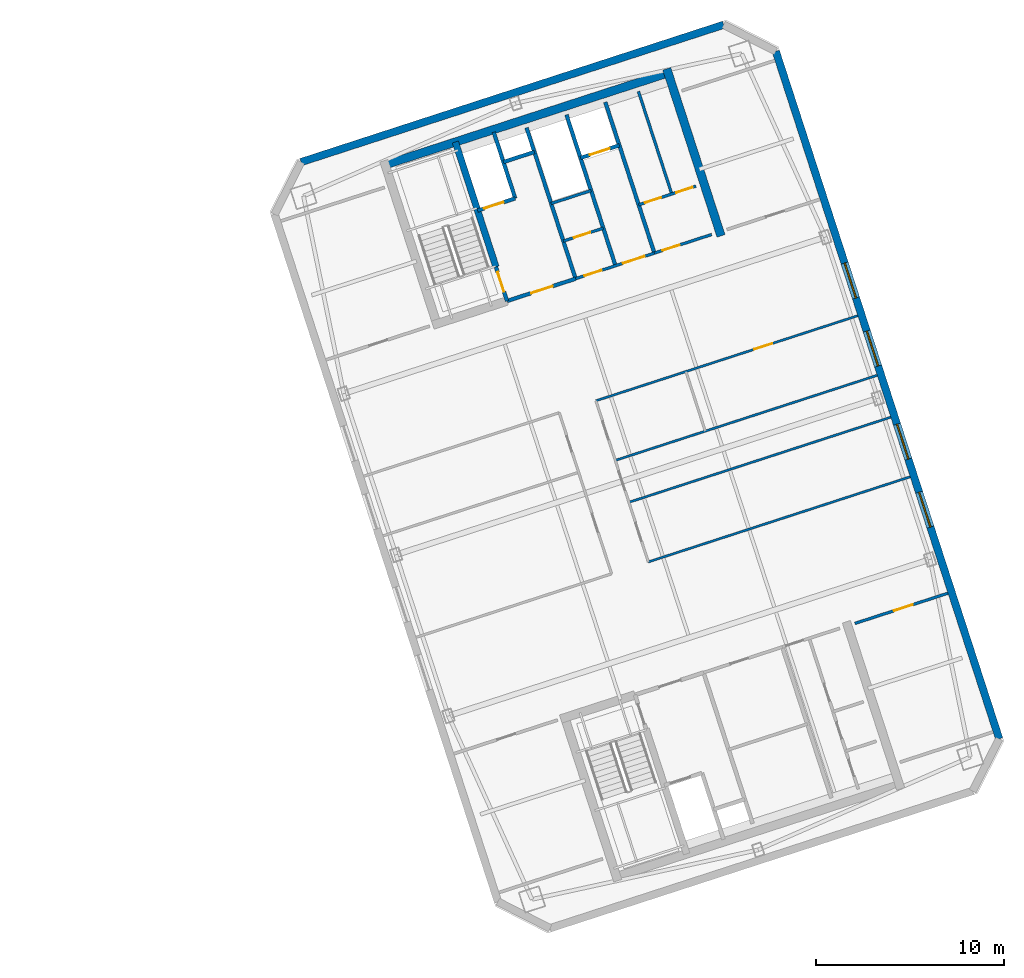
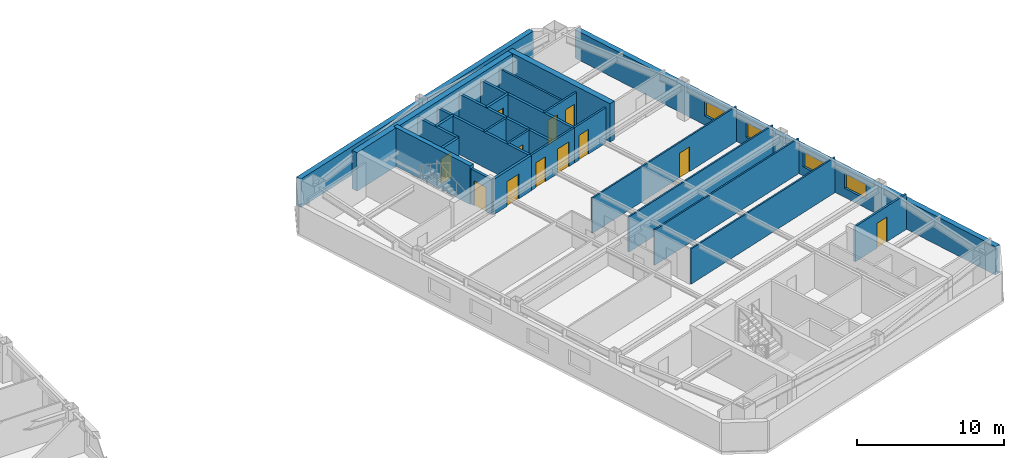
# One storey, part 9 of 13: 25 walls, 12 doors, 4 windows, 16 openings.
"""IFC4 building model written with IfcOpenShell, lengths in metres."""

from ifc_helpers import new_model, si_unit, direction, frame, frame_2d, origin, place, context, subcontext, project, spatial, rectangle, extrude, material, layer, layer_set, type_object, element, fill, save


model = new_model("IFC4")

# Units and contexts
model_context = context("Model", 3, precision=1e-05, world=origin(), true_north=direction((0.0, 1.0)))
body_context = subcontext(model_context, "Body", "Model", "MODEL_VIEW")
ifc_project = project(units=[si_unit("LENGTHUNIT", "METRE"), si_unit("AREAUNIT", "SQUARE_METRE"), si_unit("VOLUMEUNIT", "CUBIC_METRE"), si_unit("PLANEANGLEUNIT", "RADIAN"), si_unit("MASSUNIT", "GRAM", prefix="KILO")], contexts=[model_context])

# Site, building, storey
site_placement = place(None, origin())
site = spatial("IfcSite", under=ifc_project, at=site_placement, CompositionType="ELEMENT")
building_placement = place(site_placement, origin())
building = spatial("IfcBuilding", under=site, at=building_placement, Name="Qiaolan Cultural Towers", CompositionType="ELEMENT")
storey_placement = place(building_placement, frame((0.0, 0.0, 234.39990234375)))
storey = spatial("IfcBuildingStorey", under=building, at=storey_placement, Name="L63", CompositionType="ELEMENT", Elevation=234.39990234375)

# Walls
ifc_material_1 = material(Name="Concrete C50", Category="concrete")
ifc_layer_1 = layer(ifc_material_1, 0.35009765625)
ifc_layer_set_1 = layer_set([ifc_layer_1], Name="Concrete C50")
wall_type_1 = type_object("IfcWallType", Name="WL-CORE-350", PredefinedType="SHEAR", material=ifc_layer_set_1)
wall_1_placement = place(storey_placement, frame((82.513671875, 45.13134765625, 0.0), z_axis=(0.0, 0.0, 1.0), x_axis=(-0.308988790936, 0.951065679686, 0.0)))
element("IfcWall", 1, at=wall_1_placement, inside=storey, type_object=wall_type_1, Name="L63 T2-CN Stair Core Dividing Web", PredefinedType="SHEAR", context=body_context, shape_type="SweptSolid", body=[
    extrude(rectangle(XDim=6.97998046875, YDim=0.35009765625, at=frame_2d((3.489990234375, 0.0))), origin(), (0.0, 0.0, 1.0), 3.2001953125),
])
ifc_material_2 = material(Name="Concrete C50", Category="concrete")
ifc_layer_2 = layer(ifc_material_2, 0.449951171875)
ifc_layer_set_2 = layer_set([ifc_layer_2], Name="Concrete C50")
wall_type_2 = type_object("IfcWallType", Name="WL-CORE-450", PredefinedType="SHEAR", material=ifc_layer_set_2)
wall_2_placement = place(storey_placement, frame((76.414794921875, 50.489013671875, 0.0), z_axis=(0.0, 0.0, 1.0), x_axis=(0.951056810414, 0.309016089169, 0.0)))
element("IfcWall", 2, at=wall_2_placement, inside=storey, type_object=wall_type_2, Name="L63 T2-CN Outer Core Shear Wall", PredefinedType="SHEAR", context=body_context, shape_type="SweptSolid", body=[
    extrude(rectangle(XDim=16.25, YDim=0.449951171875, at=frame_2d((8.125, 0.0))), origin(), (0.0, 0.0, 1.0), 3.2001953125),
])
wall_3_placement = place(storey_placement, frame((94.468994140625, 46.781494140625, 0.0), z_axis=(0.0, 0.0, 1.0), x_axis=(-0.309004419953, 0.951060601881, 0.0)))
element("IfcWall", 3, at=wall_3_placement, inside=storey, type_object=wall_type_2, Name="L63 T2-CN East Core Shear Wall", PredefinedType="SHEAR", context=body_context, shape_type="SweptSolid", body=[
    extrude(rectangle(XDim=9.330078125, YDim=0.449951171875, at=frame_2d((4.6650390625, 0.0))), origin(), (0.0, 0.0, 1.0), 3.2001953125),
])
ifc_material_3 = material(Name="Precast Concrete C50 Honed Stone Pier", Category="masonry")
ifc_layer_3 = layer(ifc_material_3, 0.39990234375)
ifc_layer_set_3 = layer_set([ifc_layer_3], Name="Precast Concrete C50 Honed Stone Pier")
wall_type_3 = type_object("IfcWallType", Name="WL-EXT-PIER-400", PredefinedType="SOLIDWALL", material=ifc_layer_set_3)
wall_4_placement = place(storey_placement, frame((72.16455078125, 50.706298828125, 0.0), z_axis=(0.0, 0.0, 1.0), x_axis=(0.951058012937, 0.309012388148, 0.0)))
element("IfcWall", 4, at=wall_4_placement, inside=storey, type_object=wall_type_3, Name="L63 East Tower Precast Pier Facade Wall F3", PredefinedType="SOLIDWALL", context=body_context, shape_type="SweptSolid", body=[
    extrude(rectangle(XDim=23.60009765625, YDim=0.39990234375, at=frame_2d((11.800048828125, 0.0))), origin(), (0.0, 0.0, 1.0), 2.360107421875),
])

# Wall, openings, windows
wall_5_placement = place(storey_placement, frame((97.381591796875, 56.58642578125, 0.0), z_axis=(0.0, 0.0, 1.0), x_axis=(0.309016491071, -0.951056679828, 0.0)))
wall_5 = element("IfcWall", 5, at=wall_5_placement, inside=storey, type_object=wall_type_3, Name="L63 East Tower Precast Pier Facade Wall F5", PredefinedType="SOLIDWALL", context=body_context, shape_type="SweptSolid", body=[
    extrude(rectangle(XDim=38.39990234375, YDim=0.39990234375, at=frame_2d((19.199951171875, 0.0))), origin(), (0.0, 0.0, 1.0), 2.360107421875),
])
opening_1_placement = place(wall_5_placement, frame((24.625, 0.0, 0.75)))
opening_1 = element("IfcOpeningElement", 6, at=opening_1_placement, cuts=wall_5, Name="Opening W-06", PredefinedType="OPENING", context=body_context, shape_type="SweptSolid", body=[
    extrude(rectangle(XDim=1.949951171875, YDim=1.2099609375, at=frame_2d((0.97509765625, 0.60498046875))), frame((0.0, 0.2099609375, 0.0), z_axis=(0.0, -1.0, 0.0), x_axis=(1.0, 0.0, 0.0)), (0.0, 0.0, 1.0), 0.419921875),
])
opening_2_placement = place(wall_5_placement, frame((20.824951171875, 0.0, 0.75)))
opening_2 = element("IfcOpeningElement", 7, at=opening_2_placement, cuts=wall_5, Name="Opening W-06", PredefinedType="OPENING", context=body_context, shape_type="SweptSolid", body=[
    extrude(rectangle(XDim=1.949951171875, YDim=1.2099609375, at=frame_2d((0.97509765625, 0.60498046875))), frame((0.0, 0.2099609375, 0.0), z_axis=(0.0, -1.0, 0.0), x_axis=(1.0, 0.0, 0.0)), (0.0, 0.0, 1.0), 0.419921875),
])
opening_3_placement = place(wall_5_placement, frame((15.625, 0.0, 0.75)))
opening_3 = element("IfcOpeningElement", 8, at=opening_3_placement, cuts=wall_5, Name="Opening W-06", PredefinedType="OPENING", context=body_context, shape_type="SweptSolid", body=[
    extrude(rectangle(XDim=1.949951171875, YDim=1.2099609375, at=frame_2d((0.97509765625, 0.60498046875))), frame((0.0, 0.2099609375, 0.0), z_axis=(0.0, -1.0, 0.0), x_axis=(1.0, 0.0, 0.0)), (0.0, 0.0, 1.0), 0.419921875),
])
opening_4_placement = place(wall_5_placement, frame((11.824951171875, 0.0, 0.75)))
opening_4 = element("IfcOpeningElement", 9, at=opening_4_placement, cuts=wall_5, Name="Opening W-06", PredefinedType="OPENING", context=body_context, shape_type="SweptSolid", body=[
    extrude(rectangle(XDim=1.949951171875, YDim=1.2099609375, at=frame_2d((0.97509765625, 0.60498046875))), frame((0.0, 0.2099609375, 0.0), z_axis=(0.0, -1.0, 0.0), x_axis=(1.0, 0.0, 0.0)), (0.0, 0.0, 1.0), 0.419921875),
])
ifc_material_4 = material(Name="Thermally Broken Aluminium Triple Low-E Glazing", Category="aluminium")
window_type = type_object("IfcWindowType", Name="WN-CHIC-1950", PartitioningType="SINGLE_PANEL", PredefinedType="WINDOW", material=ifc_material_4)
window_1_placement = place(opening_1_placement, origin())
window_1 = element("IfcWindow", 10, at=window_1_placement, inside=storey, type_object=window_type, Name="L63 T2 E Chicago Bay Window 1", OverallHeight=1.2099609375, OverallWidth=1.949951171875, PartitioningType="TRIPLE_PANEL_VERTICAL", PredefinedType="WINDOW", context=body_context, shape_type="SweptSolid", body=[
    extrude(rectangle(XDim=1.949951171875, YDim=1.2099609375, at=frame_2d((0.97509765625, 0.60498046875))), frame((0.0, 0.030029296875, 0.0), z_axis=(0.0, -1.0, 0.0), x_axis=(1.0, 0.0, 0.0)), (0.0, 0.0, 1.0), 0.06005859375),
])
fill(opening_1, window_1)
window_2_placement = place(opening_2_placement, origin())
window_2 = element("IfcWindow", 11, at=window_2_placement, inside=storey, type_object=window_type, Name="L63 T2 E Chicago Bay Window 2", OverallHeight=1.2099609375, OverallWidth=1.949951171875, PartitioningType="TRIPLE_PANEL_VERTICAL", PredefinedType="WINDOW", context=body_context, shape_type="SweptSolid", body=[
    extrude(rectangle(XDim=1.949951171875, YDim=1.2099609375, at=frame_2d((0.97509765625, 0.60498046875))), frame((0.0, 0.030029296875, 0.0), z_axis=(0.0, -1.0, 0.0), x_axis=(1.0, 0.0, 0.0)), (0.0, 0.0, 1.0), 0.06005859375),
])
fill(opening_2, window_2)
window_3_placement = place(opening_3_placement, origin())
window_3 = element("IfcWindow", 12, at=window_3_placement, inside=storey, type_object=window_type, Name="L63 T2 E Chicago Bay Window 3", OverallHeight=1.2099609375, OverallWidth=1.949951171875, PartitioningType="TRIPLE_PANEL_VERTICAL", PredefinedType="WINDOW", context=body_context, shape_type="SweptSolid", body=[
    extrude(rectangle(XDim=1.949951171875, YDim=1.2099609375, at=frame_2d((0.97509765625, 0.60498046875))), frame((0.0, 0.030029296875, 0.0), z_axis=(0.0, -1.0, 0.0), x_axis=(1.0, 0.0, 0.0)), (0.0, 0.0, 1.0), 0.06005859375),
])
fill(opening_3, window_3)
window_4_placement = place(opening_4_placement, origin())
window_4 = element("IfcWindow", 13, at=window_4_placement, inside=storey, type_object=window_type, Name="L63 T2 E Chicago Bay Window 4", OverallHeight=1.2099609375, OverallWidth=1.949951171875, PartitioningType="TRIPLE_PANEL_VERTICAL", PredefinedType="WINDOW", context=body_context, shape_type="SweptSolid", body=[
    extrude(rectangle(XDim=1.949951171875, YDim=1.2099609375, at=frame_2d((0.97509765625, 0.60498046875))), frame((0.0, 0.030029296875, 0.0), z_axis=(0.0, -1.0, 0.0), x_axis=(1.0, 0.0, 0.0)), (0.0, 0.0, 1.0), 0.06005859375),
])
fill(opening_4, window_4)

# Wall, opening, door
ifc_material_5 = material(Name="Concrete C35 Fire Wall", Category="concrete")
ifc_layer_4 = layer(ifc_material_5, 0.199951171875)
ifc_layer_set_4 = layer_set([ifc_layer_4], Name="Concrete C35 Fire Wall")
wall_type_4 = type_object("IfcWallType", Name="WL-FIRE-200", PredefinedType="PARTITIONING", material=ifc_layer_set_4)
wall_6_placement = place(storey_placement, frame((83.100830078125, 43.324462890625, 0.0), z_axis=(0.0, 0.0, 1.0), x_axis=(-0.309048298632, 0.951046344356, 0.0)))
wall_6 = element("IfcWall", 14, at=wall_6_placement, inside=storey, type_object=wall_type_4, Name="L63 T2-CN Smokeproof Stair Entry Wall", PredefinedType="PARTITIONING", context=body_context, shape_type="SweptSolid", body=[
    extrude(rectangle(XDim=1.89990234375, YDim=0.199951171875, at=frame_2d((0.949951171875, 0.0))), origin(), (0.0, 0.0, 1.0), 2.925048828125),
])
opening_5_placement = place(wall_6_placement, frame((0.52001953125, 0.0, 0.0)))
opening_5 = element("IfcOpeningElement", 15, at=opening_5_placement, cuts=wall_6, Name="Opening FD-04", PredefinedType="OPENING", context=body_context, shape_type="SweptSolid", body=[
    extrude(rectangle(XDim=1.10009765625, YDim=2.050048828125, at=frame_2d((0.550048828125, 1.02490234375))), frame((0.0, 0.10986328125, 0.0), z_axis=(0.0, -1.0, 0.0), x_axis=(1.0, 0.0, 0.0)), (0.0, 0.0, 1.0), 0.219970703125),
])
ifc_material_6 = material(Name="Galvanized Steel Command Fire Door", Category="steel")
door_type_1 = type_object("IfcDoorType", Name="DR-FD90-1100", OperationType="NOTDEFINED", PredefinedType="DOOR", material=ifc_material_6)
door_1_placement = place(opening_5_placement, origin())
door_1 = element("IfcDoor", 16, at=door_1_placement, inside=storey, type_object=door_type_1, Name="L63 ST-E2 Smokeproof Stair Fire Door", OperationType="SINGLE_SWING_LEFT", OverallHeight=2.050048828125, OverallWidth=1.10009765625, PredefinedType="DOOR", context=body_context, shape_type="SweptSolid", body=[
    extrude(rectangle(XDim=1.10009765625, YDim=2.050048828125, at=frame_2d((0.550048828125, 1.02490234375))), frame((0.0, 0.02490234375, 0.0), z_axis=(0.0, -1.0, 0.0), x_axis=(1.0, 0.0, 0.0)), (0.0, 0.0, 1.0), 0.050048828125),
])
fill(opening_5, door_1)

# Wall
wall_7_placement = place(storey_placement, frame((86.743408203125, 44.508056640625, 0.0), z_axis=(0.0, 0.0, 1.0), x_axis=(-0.309016001439, 0.951056838919, 0.0)))
element("IfcWall", 17, at=wall_7_placement, inside=storey, type_object=wall_type_4, Name="L63 T2-CN Firefighting Zone Wall", PredefinedType="PARTITIONING", context=body_context, shape_type="SweptSolid", body=[
    extrude(rectangle(XDim=8.429931640625, YDim=0.199951171875, at=frame_2d((4.21484375, 0.0))), origin(), (0.0, 0.0, 1.0), 2.925048828125),
])

# Wall, opening, door
wall_8_placement = place(storey_placement, frame((83.100830078125, 43.324462890625, 0.0), z_axis=(0.0, 0.0, 1.0), x_axis=(0.951052804469, 0.309028417967, 0.0)))
wall_8 = element("IfcWall", 18, at=wall_8_placement, inside=storey, type_object=wall_type_4, Name="L63 T2-CN Firefighting Lobby Front Wall", PredefinedType="PARTITIONING", context=body_context, shape_type="SweptSolid", body=[
    extrude(rectangle(XDim=3.830078125, YDim=0.199951171875, at=frame_2d((1.9150390625, 0.0))), origin(), (0.0, 0.0, 1.0), 2.925048828125),
])
opening_6_placement = place(wall_8_placement, frame((1.35009765625, 0.0, 0.0)))
opening_6 = element("IfcOpeningElement", 19, at=opening_6_placement, cuts=wall_8, Name="Opening FD-03", PredefinedType="OPENING", context=body_context, shape_type="SweptSolid", body=[
    extrude(rectangle(XDim=1.199951171875, YDim=2.050048828125, at=frame_2d((0.60009765625, 1.02490234375))), frame((0.0, 0.10986328125, 0.0), z_axis=(0.0, -1.0, 0.0), x_axis=(1.0, 0.0, 0.0)), (0.0, 0.0, 1.0), 0.219970703125),
])
ifc_material_7 = material(Name="Galvanized Steel Smokeproof Lobby Fire Door", Category="steel")
door_type_2 = type_object("IfcDoorType", Name="DR-FD90-1200", OperationType="NOTDEFINED", PredefinedType="DOOR", material=ifc_material_7)
door_2_placement = place(opening_6_placement, origin())
door_2 = element("IfcDoor", 20, at=door_2_placement, inside=storey, type_object=door_type_2, Name="L63 FFL-E2 Firefighting Lobby Fire Door", OperationType="SINGLE_SWING_LEFT", OverallHeight=2.050048828125, OverallWidth=1.199951171875, PredefinedType="DOOR", context=body_context, shape_type="SweptSolid", body=[
    extrude(rectangle(XDim=1.199951171875, YDim=2.050048828125, at=frame_2d((0.60009765625, 1.02490234375))), frame((0.0, 0.02490234375, 0.0), z_axis=(0.0, -1.0, 0.0), x_axis=(1.0, 0.0, 0.0)), (0.0, 0.0, 1.0), 0.050048828125),
])
fill(opening_6, door_2)

wall_9_placement = place(storey_placement, frame((81.540283203125, 48.127197265625, 0.0), z_axis=(0.0, 0.0, 1.0), x_axis=(0.951062257173, 0.308999325213, 0.0)))
wall_9 = element("IfcWall", 21, at=wall_9_placement, inside=storey, type_object=wall_type_4, Name="L63 T2-CN Firefighting Shaft Front Wall", PredefinedType="PARTITIONING", context=body_context, shape_type="SweptSolid", body=[
    extrude(rectangle(XDim=2.10009765625, YDim=0.199951171875, at=frame_2d((1.050048828125, 0.0))), origin(), (0.0, 0.0, 1.0), 2.925048828125),
])
opening_7_placement = place(wall_9_placement, frame((0.35009765625, 0.0, 0.0)))
opening_7 = element("IfcOpeningElement", 22, at=opening_7_placement, cuts=wall_9, Name="Opening LD-01", PredefinedType="OPENING", context=body_context, shape_type="SweptSolid", body=[
    extrude(rectangle(XDim=1.10009765625, YDim=2.050048828125, at=frame_2d((0.550048828125, 1.02490234375))), frame((0.0, 0.10986328125, 0.0), z_axis=(0.0, -1.0, 0.0), x_axis=(1.0, 0.0, 0.0)), (0.0, 0.0, 1.0), 0.219970703125),
])
ifc_material_8 = material(Name="Brushed Stainless Steel S30408 Centre-Parting Lift Landing Door", Category="steel")
door_type_3 = type_object("IfcDoorType", Name="DR-LIFT-1100", OperationType="NOTDEFINED", PredefinedType="DOOR", material=ifc_material_8)
door_3_placement = place(opening_7_placement, origin())
door_3 = element("IfcDoor", 23, at=door_3_placement, inside=storey, type_object=door_type_3, Name="L63 FFL-E2 Firefighting Lift Landing Door", OperationType="DOUBLE_DOOR_SLIDING", OverallHeight=2.050048828125, OverallWidth=1.10009765625, PredefinedType="DOOR", context=body_context, shape_type="SweptSolid", body=[
    extrude(rectangle(XDim=1.10009765625, YDim=2.050048828125, at=frame_2d((0.550048828125, 1.02490234375))), frame((0.0, 0.02490234375, 0.0), z_axis=(0.0, -1.0, 0.0), x_axis=(1.0, 0.0, 0.0)), (0.0, 0.0, 1.0), 0.050048828125),
])
fill(opening_7, door_3)

# Walls
wall_10_placement = place(storey_placement, frame((83.53759765625, 48.776123046875, 0.0), z_axis=(0.0, 0.0, 1.0), x_axis=(-0.3089935693, 0.951064127245, 0.0)))
element("IfcWall", 24, at=wall_10_placement, inside=storey, type_object=wall_type_4, Name="L63 T2-CN Firefighting Hoistway East Wall", PredefinedType="PARTITIONING", context=body_context, shape_type="SweptSolid", body=[
    extrude(rectangle(XDim=3.7001953125, YDim=0.199951171875, at=frame_2d((1.85009765625, 0.0))), origin(), (0.0, 0.0, 1.0), 2.925048828125),
])
wall_11_placement = place(storey_placement, frame((82.910400390625, 50.706787109375, 0.0), z_axis=(0.0, 0.0, 1.0), x_axis=(0.951041328149, 0.309063734775, 0.0)))
element("IfcWall", 25, at=wall_11_placement, inside=storey, type_object=wall_type_4, Name="L63 T2-CN Pressurization Shaft Front Wall", PredefinedType="PARTITIONING", context=body_context, shape_type="SweptSolid", body=[
    extrude(rectangle(XDim=1.72998046875, YDim=0.199951171875, at=frame_2d((0.864990234375, 0.0))), origin(), (0.0, 0.0, 1.0), 2.925048828125),
])
wall_12_placement = place(storey_placement, frame((90.92822265625, 45.86767578125, 0.0), z_axis=(0.0, 0.0, 1.0), x_axis=(-0.309042196757, 0.951048327176, 0.0)))
element("IfcWall", 26, at=wall_12_placement, inside=storey, type_object=wall_type_4, Name="L63 T2-CN Lift Core East Wall", PredefinedType="PARTITIONING", context=body_context, shape_type="SweptSolid", body=[
    extrude(rectangle(XDim=8.429931640625, YDim=0.199951171875, at=frame_2d((4.21484375, 0.0))), origin(), (0.0, 0.0, 1.0), 2.925048828125),
])
wall_13_placement = place(storey_placement, frame((88.8642578125, 45.197021484375, 0.0), z_axis=(0.0, 0.0, 1.0), x_axis=(-0.309007490203, 0.951059604335, 0.0)))
element("IfcWall", 27, at=wall_13_placement, inside=storey, type_object=wall_type_4, Name="L63 T2-CN Sky Shuttle Lift Zone Wall", PredefinedType="PARTITIONING", context=body_context, shape_type="SweptSolid", body=[
    extrude(rectangle(XDim=8.43017578125, YDim=0.199951171875, at=frame_2d((4.215087890625, 0.0))), origin(), (0.0, 0.0, 1.0), 2.925048828125),
])

# Wall, opening, door
wall_14_placement = place(storey_placement, frame((87.004150390625, 50.92236328125, 0.0), z_axis=(0.0, 0.0, 1.0), x_axis=(0.951041509718, 0.309063176055, 0.0)))
wall_14 = element("IfcWall", 28, at=wall_14_placement, inside=storey, type_object=wall_type_4, Name="L63 T2-CN Shuttle Lift Shaft Front", PredefinedType="PARTITIONING", context=body_context, shape_type="SweptSolid", body=[
    extrude(rectangle(XDim=2.169921875, YDim=0.199951171875, at=frame_2d((1.0849609375, 0.0))), origin(), (0.0, 0.0, 1.0), 2.925048828125),
])
opening_8_placement = place(wall_14_placement, frame((0.52001953125, 0.0, 0.0)))
opening_8 = element("IfcOpeningElement", 29, at=opening_8_placement, cuts=wall_14, Name="Opening LD-01", PredefinedType="OPENING", context=body_context, shape_type="SweptSolid", body=[
    extrude(rectangle(XDim=1.10009765625, YDim=2.050048828125, at=frame_2d((0.550048828125, 1.02490234375))), frame((0.0, 0.10986328125, 0.0), z_axis=(0.0, -1.0, 0.0), x_axis=(1.0, 0.0, 0.0)), (0.0, 0.0, 1.0), 0.219970703125),
])
door_4_placement = place(opening_8_placement, origin())
door_4 = element("IfcDoor", 30, at=door_4_placement, inside=storey, type_object=door_type_3, Name="L63 Sky Shuttle Lift Landing Door", OperationType="DOUBLE_DOOR_SLIDING", OverallHeight=2.050048828125, OverallWidth=1.10009765625, PredefinedType="DOOR", context=body_context, shape_type="SweptSolid", body=[
    extrude(rectangle(XDim=1.10009765625, YDim=2.050048828125, at=frame_2d((0.550048828125, 1.02490234375))), frame((0.0, 0.02490234375, 0.0), z_axis=(0.0, -1.0, 0.0), x_axis=(1.0, 0.0, 0.0)), (0.0, 0.0, 1.0), 0.050048828125),
])
fill(opening_8, door_4)

# Wall
ifc_material_9 = material(Name="Gypsum Stud Acoustic Partition", Category="gypsum")
ifc_layer_5 = layer(ifc_material_9, 0.1201171875)
ifc_layer_set_5 = layer_set([ifc_layer_5], Name="Gypsum Stud Acoustic Partition")
wall_type_5 = type_object("IfcWallType", Name="WL-PART-120", PredefinedType="PARTITIONING", material=ifc_layer_set_5)
wall_15_placement = place(storey_placement, frame((90.60595703125, 29.46533203125, 0.0), z_axis=(0.0, 0.0, 1.0), x_axis=(0.951058110432, 0.309012088082, 0.0)))
element("IfcWall", 31, at=wall_15_placement, inside=storey, type_object=wall_type_5, Name="L63 T2 South Foyer East Wall", PredefinedType="PARTITIONING", context=body_context, shape_type="SweptSolid", body=[
    extrude(rectangle(XDim=14.625, YDim=0.1201171875, at=frame_2d((7.3125, 0.0))), origin(), (0.0, 0.0, 1.0), 2.925048828125),
])

# Wall, opening, door
wall_16_placement = place(storey_placement, frame((87.82470703125, 38.02490234375, 0.0), z_axis=(0.0, 0.0, 1.0), x_axis=(0.951058110432, 0.309012088082, 0.0)))
wall_16 = element("IfcWall", 32, at=wall_16_placement, inside=storey, type_object=wall_type_5, Name="L63 T2 North Foyer East Wall", PredefinedType="PARTITIONING", context=body_context, shape_type="SweptSolid", body=[
    extrude(rectangle(XDim=14.625, YDim=0.1201171875, at=frame_2d((7.3125, 0.0))), origin(), (0.0, 0.0, 1.0), 2.925048828125),
])
opening_9_placement = place(wall_16_placement, frame((8.844970703125, 0.0, 0.0)))
opening_9 = element("IfcOpeningElement", 33, at=opening_9_placement, cuts=wall_16, Name="Opening ID-04", PredefinedType="OPENING", context=body_context, shape_type="SweptSolid", body=[
    extrude(rectangle(XDim=1.0, YDim=2.050048828125, at=frame_2d((0.5, 1.02490234375))), frame((0.0, 0.070068359375, 0.0), z_axis=(0.0, -1.0, 0.0), x_axis=(1.0, 0.0, 0.0)), (0.0, 0.0, 1.0), 0.14013671875),
])
ifc_material_10 = material(Name="Oak Veneer Acoustic Office Door", Category="timber")
door_type_4 = type_object("IfcDoorType", Name="DR-INT-1000", OperationType="NOTDEFINED", PredefinedType="DOOR", material=ifc_material_10)
door_5_placement = place(opening_9_placement, origin())
door_5 = element("IfcDoor", 34, at=door_5_placement, inside=storey, type_object=door_type_4, Name="L63 T2 Gallery Salon Door", OperationType="SINGLE_SWING_RIGHT", OverallHeight=2.050048828125, OverallWidth=1.0, PredefinedType="DOOR", context=body_context, shape_type="SweptSolid", body=[
    extrude(rectangle(XDim=1.0, YDim=2.050048828125, at=frame_2d((0.5, 1.02490234375))), frame((0.0, 0.02490234375, 0.0), z_axis=(0.0, -1.0, 0.0), x_axis=(1.0, 0.0, 0.0)), (0.0, 0.0, 1.0), 0.050048828125),
])
fill(opening_9, door_5)

# Walls
for number, where, z_axis, x_axis, name in (
    (35, (89.576904296875, 32.63232421875, 0.0), (0.0, 0.0, 1.0), (0.951058110432, 0.309012088082, 0.0), "L63 T2 Interior Wall"),
    (36, (88.853759765625, 34.85791015625, 0.0), (0.0, 0.0, 1.0), (0.951058110432, 0.309012088082, 0.0), "L63 T2 Interior Wall"),
):
    element("IfcWall", number, at=place(storey_placement, frame(where, z_axis=z_axis, x_axis=x_axis)), inside=storey, type_object=wall_type_5, Name=name, PredefinedType="PARTITIONING", context=body_context, shape_type="SweptSolid", body=[
        extrude(rectangle(XDim=14.625, YDim=0.1201171875, at=frame_2d((7.3125, 0.0))), origin(), (0.0, 0.0, 1.0), 2.925048828125),
    ])

# Wall, openings, doors
ifc_material_11 = material(Name="Autoclaved Aerated Concrete Block B06", Category="concrete")
ifc_layer_6 = layer(ifc_material_11, 0.14990234375)
ifc_layer_set_6 = layer_set([ifc_layer_6], Name="Autoclaved Aerated Concrete Block B06")
wall_type_6 = type_object("IfcWallType", Name="WL-PART-150", PredefinedType="PARTITIONING", material=ifc_layer_set_6)
wall_17_placement = place(storey_placement, frame((86.743408203125, 44.508056640625, 0.0), z_axis=(0.0, 0.0, 1.0), x_axis=(0.951063829732, 0.308994485023, 0.0)))
wall_17 = element("IfcWall", 37, at=wall_17_placement, inside=storey, type_object=wall_type_6, Name="L63 T2-CN High-Zone Lift Lobby Wall", PredefinedType="PARTITIONING", context=body_context, shape_type="SweptSolid", body=[
    extrude(rectangle(XDim=4.400146484375, YDim=0.14990234375, at=frame_2d((2.2001953125, 0.0))), origin(), (0.0, 0.0, 1.0), 2.925048828125),
])
opening_10_placement = place(wall_17_placement, frame((0.5, 0.0, 0.0)))
opening_10 = element("IfcOpeningElement", 38, at=opening_10_placement, cuts=wall_17, Name="Opening ID-05", PredefinedType="OPENING", context=body_context, shape_type="SweptSolid", body=[
    extrude(rectangle(XDim=0.949951171875, YDim=2.050048828125, at=frame_2d((0.47509765625, 1.02490234375))), frame((0.0, 0.0849609375, 0.0), z_axis=(0.0, -1.0, 0.0), x_axis=(1.0, 0.0, 0.0)), (0.0, 0.0, 1.0), 0.169921875),
])
opening_11_placement = place(wall_17_placement, frame((2.64990234375, 0.0, 0.0)))
opening_11 = element("IfcOpeningElement", 39, at=opening_11_placement, cuts=wall_17, Name="Opening FD-06", PredefinedType="OPENING", context=body_context, shape_type="SweptSolid", body=[
    extrude(rectangle(XDim=1.199951171875, YDim=2.050048828125, at=frame_2d((0.60009765625, 1.02490234375))), frame((0.0, 0.0849609375, 0.0), z_axis=(0.0, -1.0, 0.0), x_axis=(1.0, 0.0, 0.0)), (0.0, 0.0, 1.0), 0.169921875),
])
ifc_material_12 = material(Name="Painted Steel Plant Fire Door", Category="steel")
door_type_5 = type_object("IfcDoorType", Name="DR-FD60-1200", OperationType="NOTDEFINED", PredefinedType="DOOR", material=ifc_material_12)
door_6_placement = place(opening_11_placement, origin())
door_6 = element("IfcDoor", 40, at=door_6_placement, inside=storey, type_object=door_type_5, Name="L63 Sky Shuttle Lift Lobby Door", OperationType="SINGLE_SWING_RIGHT", OverallHeight=2.050048828125, OverallWidth=1.199951171875, PredefinedType="DOOR", context=body_context, shape_type="SweptSolid", body=[
    extrude(rectangle(XDim=1.199951171875, YDim=2.050048828125, at=frame_2d((0.60009765625, 1.02490234375))), frame((0.0, 0.02490234375, 0.0), z_axis=(0.0, -1.0, 0.0), x_axis=(1.0, 0.0, 0.0)), (0.0, 0.0, 1.0), 0.050048828125),
])
fill(opening_11, door_6)
ifc_material_13 = material(Name="Fire-Rated Laminate Accessible Core Door", Category="timber")
door_type_6 = type_object("IfcDoorType", Name="DR-INT-950", OperationType="NOTDEFINED", PredefinedType="DOOR", material=ifc_material_13)
door_7_placement = place(opening_10_placement, origin())
door_7 = element("IfcDoor", 41, at=door_7_placement, inside=storey, type_object=door_type_6, Name="L63 Reclaimed Server Room Door", OperationType="SINGLE_SWING_LEFT", OverallHeight=2.050048828125, OverallWidth=0.949951171875, PredefinedType="DOOR", context=body_context, shape_type="SweptSolid", body=[
    extrude(rectangle(XDim=0.949951171875, YDim=2.050048828125, at=frame_2d((0.47509765625, 1.02490234375))), frame((0.0, 0.02490234375, 0.0), z_axis=(0.0, -1.0, 0.0), x_axis=(1.0, 0.0, 0.0)), (0.0, 0.0, 1.0), 0.050048828125),
])
fill(opening_10, door_7)

# Wall
wall_18_placement = place(storey_placement, frame((85.445556640625, 48.50244140625, 0.0), z_axis=(0.0, 0.0, 1.0), x_axis=(0.951075093106, 0.308959814982, 0.0)))
element("IfcWall", 42, at=wall_18_placement, inside=storey, type_object=wall_type_6, Name="L63 T2-CN High-Zone Smoke Shaft Split", PredefinedType="PARTITIONING", context=body_context, shape_type="SweptSolid", body=[
    extrude(rectangle(XDim=2.22998046875, YDim=0.14990234375, at=frame_2d((1.114990234375, 0.0))), origin(), (0.0, 0.0, 1.0), 2.925048828125),
])

# Wall, opening, door
wall_19_placement = place(storey_placement, frame((86.094482421875, 46.505126953125, 0.0), z_axis=(0.0, 0.0, 1.0), x_axis=(0.951042918244, 0.309058841741, 0.0)))
wall_19 = element("IfcWall", 43, at=wall_19_placement, inside=storey, type_object=wall_type_6, Name="L63 T2-CN High-Zone Archive Suite Partition", PredefinedType="PARTITIONING", context=body_context, shape_type="SweptSolid", body=[
    extrude(rectangle(XDim=2.22998046875, YDim=0.14990234375, at=frame_2d((1.114990234375, 0.0))), origin(), (0.0, 0.0, 1.0), 2.925048828125),
])
opening_12_placement = place(wall_19_placement, frame((0.60009765625, 0.0, 0.0)))
opening_12 = element("IfcOpeningElement", 44, at=opening_12_placement, cuts=wall_19, Name="Opening ID-06", PredefinedType="OPENING", context=body_context, shape_type="SweptSolid", body=[
    extrude(rectangle(XDim=0.89990234375, YDim=2.050048828125, at=frame_2d((0.449951171875, 1.02490234375))), frame((0.0, 0.0849609375, 0.0), z_axis=(0.0, -1.0, 0.0), x_axis=(1.0, 0.0, 0.0)), (0.0, 0.0, 1.0), 0.169921875),
])
ifc_material_14 = material(Name="Fire-Rated Laminate Core Service Door", Category="timber")
door_type_7 = type_object("IfcDoorType", Name="DR-INT-900", OperationType="NOTDEFINED", PredefinedType="DOOR", material=ifc_material_14)
door_8_placement = place(opening_12_placement, origin())
door_8 = element("IfcDoor", 45, at=door_8_placement, inside=storey, type_object=door_type_7, Name="L63 Archive Vault Inner Door", OperationType="SINGLE_SWING_LEFT", OverallHeight=2.050048828125, OverallWidth=0.89990234375, PredefinedType="DOOR", context=body_context, shape_type="SweptSolid", body=[
    extrude(rectangle(XDim=0.89990234375, YDim=2.050048828125, at=frame_2d((0.449951171875, 1.02490234375))), frame((0.0, 0.02490234375, 0.0), z_axis=(0.0, -1.0, 0.0), x_axis=(1.0, 0.0, 0.0)), (0.0, 0.0, 1.0), 0.050048828125),
])
fill(opening_12, door_8)

wall_20_placement = place(storey_placement, frame((90.92822265625, 45.86767578125, 0.0), z_axis=(0.0, 0.0, 1.0), x_axis=(0.951059297078, 0.309008435874, 0.0)))
wall_20 = element("IfcWall", 46, at=wall_20_placement, inside=storey, type_object=wall_type_6, Name="L63 T2-CN Sanitary Core Front Wall", PredefinedType="PARTITIONING", context=body_context, shape_type="SweptSolid", body=[
    extrude(rectangle(XDim=3.19970703125, YDim=0.14990234375, at=frame_2d((1.599853515625, 0.0))), origin(), (0.0, 0.0, 1.0), 2.925048828125),
])
opening_13_placement = place(wall_20_placement, frame((0.449951171875, 0.0, 0.0)))
opening_13 = element("IfcOpeningElement", 47, at=opening_13_placement, cuts=wall_20, Name="Opening ID-05", PredefinedType="OPENING", context=body_context, shape_type="SweptSolid", body=[
    extrude(rectangle(XDim=0.949951171875, YDim=2.050048828125, at=frame_2d((0.47509765625, 1.02490234375))), frame((0.0, 0.0849609375, 0.0), z_axis=(0.0, -1.0, 0.0), x_axis=(1.0, 0.0, 0.0)), (0.0, 0.0, 1.0), 0.169921875),
])
door_9_placement = place(opening_13_placement, origin())
door_9 = element("IfcDoor", 48, at=door_9_placement, inside=storey, type_object=door_type_6, Name="L63 Sanitary Vestibule Door", OperationType="SINGLE_SWING_LEFT", OverallHeight=2.050048828125, OverallWidth=0.949951171875, PredefinedType="DOOR", context=body_context, shape_type="SweptSolid", body=[
    extrude(rectangle(XDim=0.949951171875, YDim=2.050048828125, at=frame_2d((0.47509765625, 1.02490234375))), frame((0.0, 0.02490234375, 0.0), z_axis=(0.0, -1.0, 0.0), x_axis=(1.0, 0.0, 0.0)), (0.0, 0.0, 1.0), 0.050048828125),
])
fill(opening_13, door_9)

# Wall, openings, doors
wall_21_placement = place(storey_placement, frame((90.09375, 48.435546875, 0.0), z_axis=(0.0, 0.0, 1.0), x_axis=(0.951066581729, 0.308986014439, 0.0)))
wall_21 = element("IfcWall", 49, at=wall_21_placement, inside=storey, type_object=wall_type_6, Name="L63 T2-CN Restroom Vestibule Wall", PredefinedType="PARTITIONING", context=body_context, shape_type="SweptSolid", body=[
    extrude(rectangle(XDim=3.199951171875, YDim=0.14990234375, at=frame_2d((1.60009765625, 0.0))), origin(), (0.0, 0.0, 1.0), 2.925048828125),
])
opening_14_placement = place(wall_21_placement, frame((0.35009765625, 0.0, 0.0)))
opening_14 = element("IfcOpeningElement", 50, at=opening_14_placement, cuts=wall_21, Name="Opening ID-06", PredefinedType="OPENING", context=body_context, shape_type="SweptSolid", body=[
    extrude(rectangle(XDim=0.89990234375, YDim=2.050048828125, at=frame_2d((0.449951171875, 1.02490234375))), frame((0.0, 0.0849609375, 0.0), z_axis=(0.0, -1.0, 0.0), x_axis=(1.0, 0.0, 0.0)), (0.0, 0.0, 1.0), 0.169921875),
])
opening_15_placement = place(wall_21_placement, frame((2.10009765625, 0.0, 0.0)))
opening_15 = element("IfcOpeningElement", 51, at=opening_15_placement, cuts=wall_21, Name="Opening ID-06", PredefinedType="OPENING", context=body_context, shape_type="SweptSolid", body=[
    extrude(rectangle(XDim=0.89990234375, YDim=2.050048828125, at=frame_2d((0.449951171875, 1.02490234375))), frame((0.0, 0.0849609375, 0.0), z_axis=(0.0, -1.0, 0.0), x_axis=(1.0, 0.0, 0.0)), (0.0, 0.0, 1.0), 0.169921875),
])
door_10_placement = place(opening_14_placement, origin())
door_10 = element("IfcDoor", 52, at=door_10_placement, inside=storey, type_object=door_type_7, Name="L63 Men Restroom Door", OperationType="SINGLE_SWING_LEFT", OverallHeight=2.050048828125, OverallWidth=0.89990234375, PredefinedType="DOOR", context=body_context, shape_type="SweptSolid", body=[
    extrude(rectangle(XDim=0.89990234375, YDim=2.050048828125, at=frame_2d((0.449951171875, 1.02490234375))), frame((0.0, 0.02490234375, 0.0), z_axis=(0.0, -1.0, 0.0), x_axis=(1.0, 0.0, 0.0)), (0.0, 0.0, 1.0), 0.050048828125),
])
fill(opening_14, door_10)
door_11_placement = place(opening_15_placement, origin())
door_11 = element("IfcDoor", 53, at=door_11_placement, inside=storey, type_object=door_type_7, Name="L63 Accessible & Women Restroom Door", OperationType="SINGLE_SWING_RIGHT", OverallHeight=2.050048828125, OverallWidth=0.89990234375, PredefinedType="DOOR", context=body_context, shape_type="SweptSolid", body=[
    extrude(rectangle(XDim=0.89990234375, YDim=2.050048828125, at=frame_2d((0.449951171875, 1.02490234375))), frame((0.0, 0.02490234375, 0.0), z_axis=(0.0, -1.0, 0.0), x_axis=(1.0, 0.0, 0.0)), (0.0, 0.0, 1.0), 0.050048828125),
])
fill(opening_15, door_11)

# Wall
wall_22_placement = place(storey_placement, frame((91.853271484375, 49.007080078125, 0.0), z_axis=(0.0, 0.0, 1.0), x_axis=(-0.309022487551, 0.951054731437, 0.0)))
element("IfcWall", 54, at=wall_22_placement, inside=storey, type_object=wall_type_6, Name="L63 T2-CN Restroom Divider Wall", PredefinedType="PARTITIONING", context=body_context, shape_type="SweptSolid", body=[
    extrude(rectangle(XDim=5.730224609375, YDim=0.14990234375, at=frame_2d((2.865234375, 0.0))), origin(), (0.0, 0.0, 1.0), 2.925048828125),
])

# Wall, opening, door
wall_23_placement = place(storey_placement, frame((101.578369140625, 26.196044921875, 0.0), z_axis=(0.0, 0.0, 1.0), x_axis=(0.951064427824, 0.308992644131, 0.0)))
wall_23 = element("IfcWall", 55, at=wall_23_placement, inside=storey, type_object=wall_type_6, Name="L63 T2 Flank Front FLK-SE", PredefinedType="PARTITIONING", context=body_context, shape_type="SweptSolid", body=[
    extrude(rectangle(XDim=5.19970703125, YDim=0.14990234375, at=frame_2d((2.599853515625, 0.0))), origin(), (0.0, 0.0, 1.0), 2.925048828125),
])
opening_16_placement = place(wall_23_placement, frame((2.18408203125, 0.0, 0.0)))
opening_16 = element("IfcOpeningElement", 56, at=opening_16_placement, cuts=wall_23, Name="Opening ID-07", PredefinedType="OPENING", context=body_context, shape_type="SweptSolid", body=[
    extrude(rectangle(XDim=1.050048828125, YDim=2.050048828125, at=frame_2d((0.52490234375, 1.02490234375))), frame((0.0, 0.0849609375, 0.0), z_axis=(0.0, -1.0, 0.0), x_axis=(1.0, 0.0, 0.0)), (0.0, 0.0, 1.0), 0.169921875),
])
ifc_material_15 = material(Name="Oak Veneer Consultation Door", Category="timber")
door_type_8 = type_object("IfcDoorType", Name="DR-INT-1050", OperationType="NOTDEFINED", PredefinedType="DOOR", material=ifc_material_15)
door_12_placement = place(opening_16_placement, origin())
door_12 = element("IfcDoor", 57, at=door_12_placement, inside=storey, type_object=door_type_8, Name="L63 T2 Corner Studio Door", OperationType="SINGLE_SWING_LEFT", OverallHeight=2.050048828125, OverallWidth=1.050048828125, PredefinedType="DOOR", context=body_context, shape_type="SweptSolid", body=[
    extrude(rectangle(XDim=1.050048828125, YDim=2.050048828125, at=frame_2d((0.52490234375, 1.02490234375))), frame((0.0, 0.02490234375, 0.0), z_axis=(0.0, -1.0, 0.0), x_axis=(1.0, 0.0, 0.0)), (0.0, 0.0, 1.0), 0.050048828125),
])
fill(opening_16, door_12)

save(model, "model.ifc")
